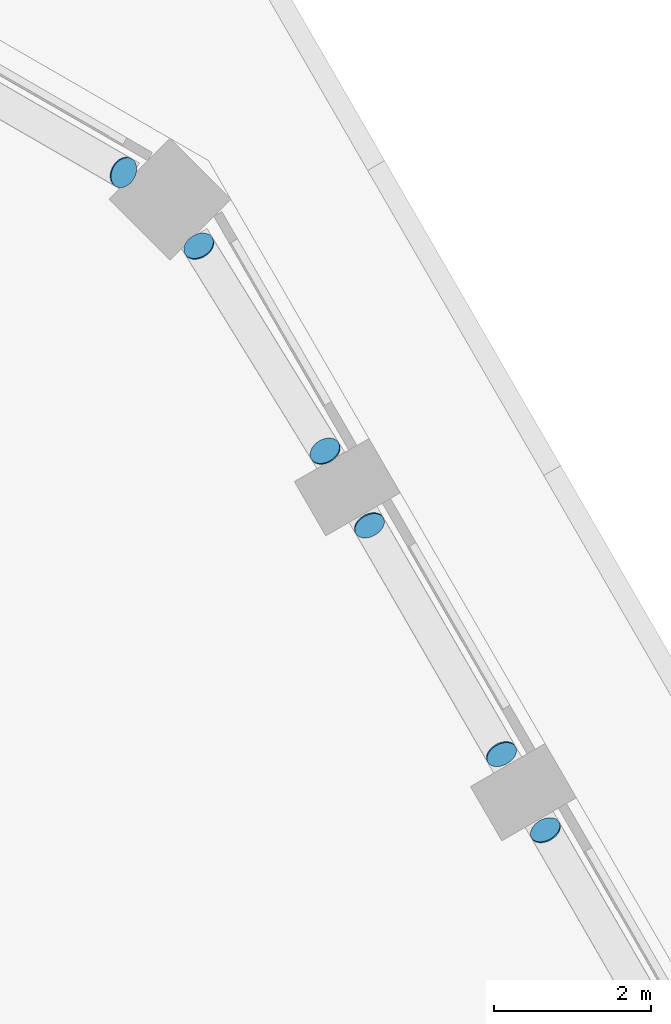
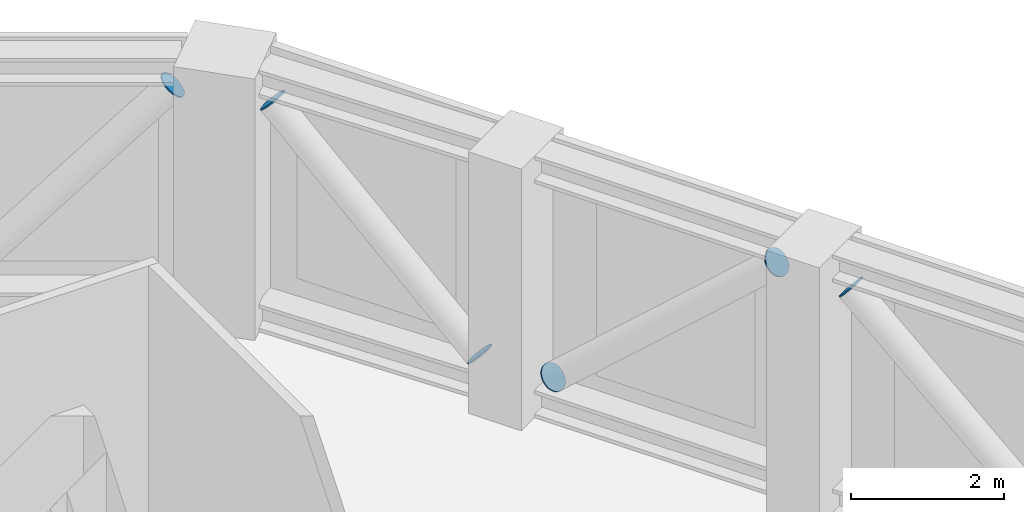
# One storey, part 14 of 15: 6 discrete accessories.
"""IFC4 building model written with IfcOpenShell, lengths in metres."""

import ifcopenshell
import ifcopenshell.guid

model = None  # the IFC model being written
_history = None  # IfcOwnerHistory: only IFC2X3 demands one
_inside = {}  # id of a spatial element -> (the spatial element, [elements in it])
_under = {}  # id of a project, library or spatial element -> (it, [spatial elements below it])
_declared = {}  # id of a project -> (the project, [libraries it declares])
_typed = {}  # id of a type object -> (the type object, [elements of that type])
_made_of = {}  # id of a material, layer set ... -> (it, [elements and type objects made of it])


def new_model(schema):
    """Start an empty IFC model of exactly this schema.

    Asked for "IFC4X3", IfcOpenShell would pick the latest addendum, in which some entities
    have other attributes; the version numbers below select the first issue.
    IFC2X3 requires an IfcOwnerHistory on every rooted entity: one is made here for all.
    """
    global model, _history
    if schema == "IFC4X3":
        model = ifcopenshell.file(schema_version=(4, 3, 0, 0))
    else:
        model = ifcopenshell.file(schema=schema)
    _inside.clear()
    _under.clear()
    _declared.clear()
    _typed.clear()
    _made_of.clear()
    _history = None
    if model.schema == "IFC2X3":
        org = make("IfcOrganization", Name="unknown")
        user = make(
            "IfcPersonAndOrganization",
            ThePerson=make("IfcPerson", FamilyName="unknown"),
            TheOrganization=org,
        )
        app = make(
            "IfcApplication",
            ApplicationDeveloper=org,
            Version="unknown",
            ApplicationFullName="unknown",
            ApplicationIdentifier="unknown",
        )
        _history = make(
            "IfcOwnerHistory",
            OwningUser=user,
            OwningApplication=app,
            ChangeAction="ADDED",
            CreationDate=0,
        )
    return model


def make(cls, **values):
    """One entity of the class cls with the attributes given. An attribute that is None is left unset."""
    return model.create_entity(
        cls, **{name: value for name, value in values.items() if value is not None}
    )


def rooted(cls, **values):
    """An entity with a GlobalId (a new one), such as an element, a storey or a relation."""
    return make(cls, GlobalId=ifcopenshell.guid.new(), OwnerHistory=_history, **values)


def si_unit(unit_type, name, prefix=None):
    """IfcSIUnit, for example si_unit("LENGTHUNIT", "METRE", prefix="MILLI")."""
    return make("IfcSIUnit", UnitType=unit_type, Prefix=prefix, Name=name)


def assignment(units):
    """IfcUnitAssignment: the units of a project."""
    return None if units is None else make("IfcUnitAssignment", Units=units)


def point(xyz):
    """IfcCartesianPoint."""
    return None if xyz is None else make("IfcCartesianPoint", Coordinates=xyz)


def direction(xyz):
    """IfcDirection."""
    return None if xyz is None else make("IfcDirection", DirectionRatios=xyz)


def frame(location, z_axis=None, x_axis=None):
    """IfcAxis2Placement3D, a coordinate frame: its origin and axes. An axis left out is left unset."""
    return make(
        "IfcAxis2Placement3D",
        Location=point(location),
        Axis=direction(z_axis),
        RefDirection=direction(x_axis),
    )


def frame_2d(location, x_axis=None):
    """IfcAxis2Placement2D, a coordinate frame in the plane: its origin and x axis."""
    return make(
        "IfcAxis2Placement2D", Location=point(location), RefDirection=direction(x_axis)
    )


def origin():
    """The frame at (0, 0, 0) with its axes left unset."""
    return frame((0.0, 0.0, 0.0))


def origin_2d():
    """The frame at (0, 0) in the plane with its x axis left unset."""
    return frame_2d((0.0, 0.0))


def place(relative_to, where):
    """IfcLocalPlacement: puts the frame where relative to a parent placement (None: the world)."""
    return make(
        "IfcLocalPlacement", PlacementRelTo=relative_to, RelativePlacement=where
    )


def context(
    kind, dimensions, precision=None, world=None, true_north=None, identifier=None
):
    """IfcGeometricRepresentationContext, for example the 3D "Model" context."""
    return make(
        "IfcGeometricRepresentationContext",
        ContextIdentifier=identifier,
        ContextType=kind,
        CoordinateSpaceDimension=dimensions,
        Precision=precision,
        WorldCoordinateSystem=world,
        TrueNorth=true_north,
    )


def subcontext(parent, identifier, kind, view, scale=None):
    """IfcGeometricRepresentationSubContext, for example "Body" below "Model"."""
    return make(
        "IfcGeometricRepresentationSubContext",
        ContextIdentifier=identifier,
        ContextType=kind,
        ParentContext=parent,
        TargetScale=scale,
        TargetView=view,
    )


def project(units=None, contexts=None):
    """IfcProject with its units and contexts."""
    return rooted(
        "IfcProject",
        Name="project",
        RepresentationContexts=contexts,
        UnitsInContext=assignment(units),
    )


def spatial(cls, under=None, at=None, **own):
    """A site, building, storey or space (cls), placed at a placement, below another one or the project."""
    s = rooted(cls, ObjectPlacement=at, **own)
    if under is not None:
        _under.setdefault(under.id(), (under, []))[1].append(s)
    return s


def profile(cls, at=None, kind="AREA", **sizes):
    """A parametric profile (cls). Its sizes go by their IFC names, for example OverallWidth=200.0."""
    return make(cls, ProfileType=kind, Position=at, **sizes)


def circle(**sizes):
    """IfcCircleProfileDef."""
    return profile("IfcCircleProfileDef", **sizes)


def extrude(swept, where, along, depth):
    """IfcExtrudedAreaSolid: the profile swept, set in the frame where, extruded along a direction by depth."""
    return make(
        "IfcExtrudedAreaSolid",
        SweptArea=swept,
        Position=where,
        ExtrudedDirection=direction(along),
        Depth=depth,
    )


def shape(context_of_items, identifier, shape_type, items):
    """IfcShapeRepresentation: the items that make up one representation, for example the "Body"."""
    return make(
        "IfcShapeRepresentation",
        ContextOfItems=context_of_items,
        RepresentationIdentifier=identifier,
        RepresentationType=shape_type,
        Items=items,
    )


def material(Name=None, Category=None):
    """IfcMaterial."""
    return make("IfcMaterial", Name=Name, Category=Category)


def material_profile(
    of_material, cross_section, Name=None, Category=None, Priority=None
):
    """IfcMaterialProfile: a cross section and its material."""
    return make(
        "IfcMaterialProfile",
        Name=Name,
        Material=of_material,
        Profile=cross_section,
        Priority=Priority,
        Category=Category,
    )


def profile_set(profiles, Name=None, composite=None):
    """IfcMaterialProfileSet."""
    return make(
        "IfcMaterialProfileSet",
        Name=Name,
        MaterialProfiles=profiles,
        CompositeProfile=composite,
    )


def made_of(thing, what):
    """Note that an element or type object is made of a material, layer set ...; save() writes the relation."""
    if what is not None:
        _made_of.setdefault(what.id(), (what, []))[1].append(thing)
    return thing


def type_object(cls, material=None, **own):
    """A type object (cls), such as IfcWallType, which elements share."""
    return made_of(rooted(cls, **own), material)


def element(
    cls,
    number,
    at=None,
    inside=None,
    cuts=None,
    type_object=None,
    material=None,
    context=None,
    identifier="Body",
    shape_type=None,
    held_by="IfcProductDefinitionShape",
    body=None,
    shapes=None,
    **own,
):
    """One element of the class cls, such as IfcWall. Its Tag is "e" and its number.

    at: its placement. inside: the storey or other place that contains it. cuts: it is an
    opening in that element (IfcRelVoidsElement). A single representation is given by context,
    identifier, shape_type and body (its items); several are given by shapes. held_by: the class
    of the entity that holds the representations. save() writes the other relations.
    """
    e = rooted(cls, Tag="e%d" % number, ObjectPlacement=at, **own)
    if body is not None:
        shapes = [shape(context, identifier, shape_type, body)]
    if shapes is not None:
        e.Representation = make(held_by, Representations=shapes)
    if inside is not None:
        _inside.setdefault(inside.id(), (inside, []))[1].append(e)
    if cuts is not None:
        rooted(
            "IfcRelVoidsElement", RelatingBuildingElement=cuts, RelatedOpeningElement=e
        )
    if type_object is not None:
        _typed.setdefault(type_object.id(), (type_object, []))[1].append(e)
    return made_of(e, material)


def aggregate(whole, parts):
    """IfcRelAggregates: a whole, such as a stair, and the parts it consists of."""
    return rooted("IfcRelAggregates", RelatingObject=whole, RelatedObjects=parts)


def save(model, path):
    """Write the relations noted so far, then the file.

    IfcRelAggregates (storeys below a building ...), IfcRelContainedInSpatialStructure (elements
    in a storey), IfcRelDefinesByType, IfcRelAssociatesMaterial and IfcRelDeclares: one each for
    every whole, place, type object, material and project.
    """
    for whole, parts in _under.values():
        aggregate(whole, parts)
    for where, things in _inside.values():
        rooted(
            "IfcRelContainedInSpatialStructure",
            RelatedElements=things,
            RelatingStructure=where,
        )
    for kind, things in _typed.values():
        rooted("IfcRelDefinesByType", RelatedObjects=things, RelatingType=kind)
    for what, things in _made_of.values():
        rooted("IfcRelAssociatesMaterial", RelatedObjects=things, RelatingMaterial=what)
    for by, libraries in _declared.values():
        rooted("IfcRelDeclares", RelatingContext=by, RelatedDefinitions=libraries)
    model.write(path)


model = new_model("IFC4")

# Units and contexts
model_context = context("Model", 3, precision=1e-05, world=origin(), true_north=direction((0.0, 1.0)))
body_context = subcontext(model_context, "Body", "Model", "MODEL_VIEW")
ifc_project = project(units=[si_unit("LENGTHUNIT", "METRE"), si_unit("AREAUNIT", "SQUARE_METRE"), si_unit("VOLUMEUNIT", "CUBIC_METRE"), si_unit("PLANEANGLEUNIT", "RADIAN"), si_unit("MASSUNIT", "GRAM", prefix="KILO")], contexts=[model_context])

# Site, building, storey
site_placement = place(None, origin())
site = spatial("IfcSite", under=ifc_project, at=site_placement, CompositionType="ELEMENT")
building_placement = place(site_placement, origin())
building = spatial("IfcBuilding", under=site, at=building_placement, Name="Dhurran Vertical Campus", CompositionType="ELEMENT")
storey_placement = place(building_placement, frame((0.0, 0.0, 230.699951171875)))
storey = spatial("IfcBuildingStorey", under=building, at=storey_placement, Name="L57 Plant", CompositionType="ELEMENT", Elevation=230.699951171875)

# Discrete accessories
ifc_material = material(Name="Steel S355J2", Category="steel")
ifc_material_profile = material_profile(ifc_material, circle(Radius=0.203125, at=origin_2d()), Name="Tube end cap 406 x 20")
ifc_profile_set = profile_set([ifc_material_profile], Name="Steel S355J2")
discrete_accessory_type = type_object("IfcDiscreteAccessoryType", Name="Tube end cap 406 x 20", PredefinedType="USERDEFINED", material=ifc_profile_set)
for number, where, z_axis, x_axis, name in (
    (1, (23.95556640625, 9.27587890625, 3.588623046875), (-0.3685770701, 0.651152823844, 0.663438726181), (-0.870256855071, -0.492598219852, 0.0), "EC1 belt L57 d14 capB"),
    (2, (21.70556640625, 13.173095703125, 0.586669921875), (-0.368465851911, 0.638674143313, -0.675520728504), (-0.866185586049, -0.49972245349, 0.0), "EC1 belt L57 d15 capA"),
    (3, (23.385986328125, 10.262451171875, 3.588623046875), (0.3685770701, -0.651152823844, 0.663438726181), (0.870256855071, 0.492598219852, 0.0), "EC1 belt L57 d15 capB"),
):
    element("IfcDiscreteAccessory", number, at=place(storey_placement, frame(where, z_axis=z_axis, x_axis=x_axis)), inside=storey, type_object=discrete_accessory_type, Name=name, ObjectType="END CAP", PredefinedType="USERDEFINED", context=body_context, shape_type="SweptSolid", body=[
        extrude(circle(Radius=0.203125, at=origin_2d()), origin(), (0.0, 0.0, 1.0), 0.019775390625),
    ])
for number, where, z_axis, x_axis, name in (
    (4, (21.1337890625, 14.132080078125, 0.579833984375), (0.367469397963, -0.600200016674, -0.710440836063), (0.852851304076, 0.522153859639, 0.0), "EC1 belt L57 d16 capA"),
    (5, (19.527587890625, 16.739013671875, 3.59521484375), (-0.367469397963, 0.600200016674, 0.710440836063), (-0.852851304076, -0.522153859639, 0.0), "EC1 belt L57 d16 capB"),
):
    element("IfcDiscreteAccessory", number, at=place(storey_placement, frame(where, z_axis=z_axis, x_axis=x_axis)), inside=storey, type_object=discrete_accessory_type, Name=name, ObjectType="END CAP", PredefinedType="USERDEFINED", context=body_context, shape_type="SweptSolid", body=[
        extrude(circle(Radius=0.203125, at=origin_2d()), origin(), (0.0, 0.0, 1.0), 0.02001953125),
    ])
discrete_accessory_placement = place(storey_placement, frame((18.553466796875, 17.69189453125, 3.603515625), z_axis=(0.589367574947, -0.331519260908, 0.736709468684), x_axis=(0.490261239633, 0.871575537125, 0.0)))
element("IfcDiscreteAccessory", 6, at=discrete_accessory_placement, inside=storey, type_object=discrete_accessory_type, Name="EC1 belt L57 d17 capB", ObjectType="END CAP", PredefinedType="USERDEFINED", context=body_context, shape_type="SweptSolid", body=[
    extrude(circle(Radius=0.203125, at=origin_2d()), origin(), (0.0, 0.0, 1.0), 0.019775390625),
])

save(model, "model.ifc")
